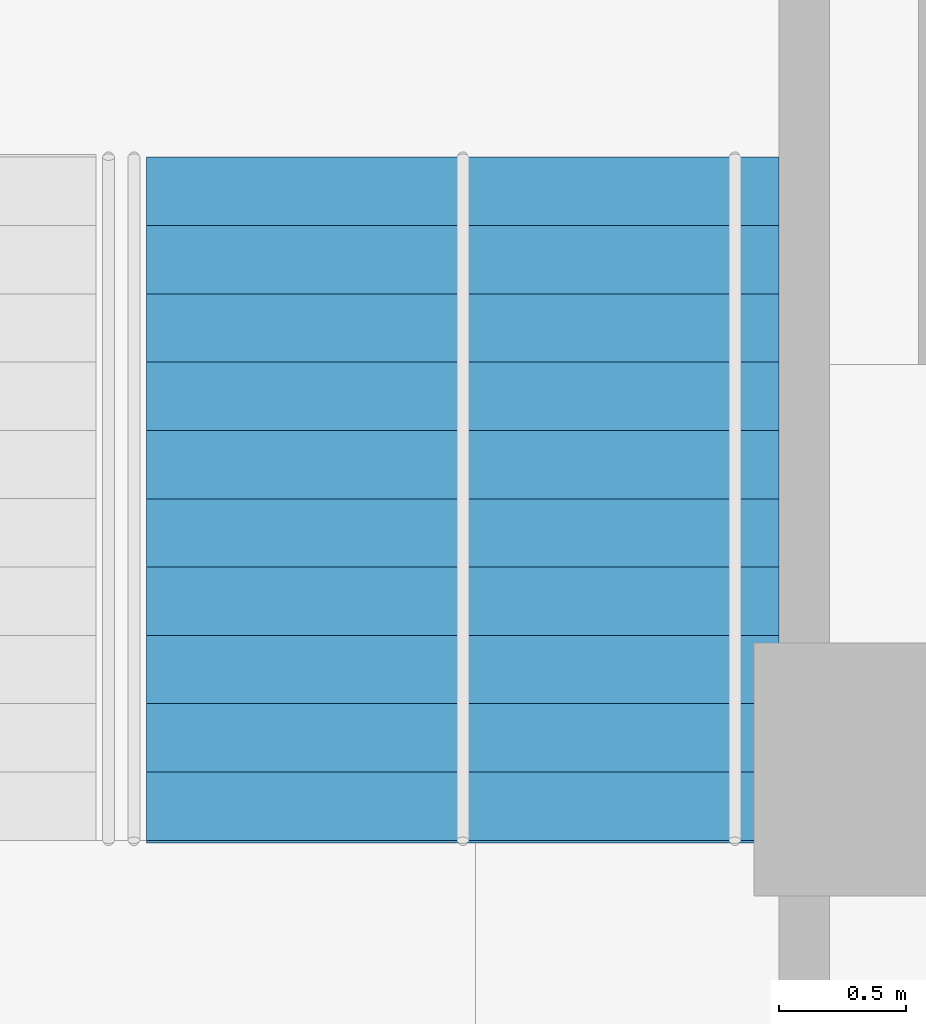
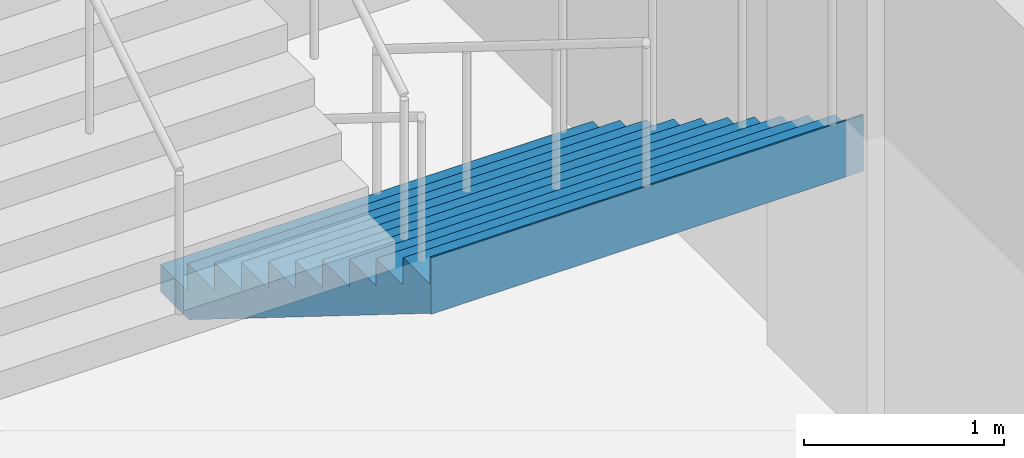
# One storey, part 9 of 11: 1 stair flight, 1 element without a shape of its own.
"""IFC4 building model written with IfcOpenShell, lengths in metres."""

from ifc_helpers import new_model, si_unit, direction, frame, origin, place, context, subcontext, project, spatial, faceted_brep, material, type_object, element, aggregate, save


model = new_model("IFC4")

# Units and contexts
model_context = context("Model", 3, precision=1e-05, world=origin(), true_north=direction((0.0, 1.0)))
body_context = subcontext(model_context, "Body", "Model", "MODEL_VIEW")
ifc_project = project(units=[si_unit("LENGTHUNIT", "METRE"), si_unit("AREAUNIT", "SQUARE_METRE"), si_unit("VOLUMEUNIT", "CUBIC_METRE"), si_unit("PLANEANGLEUNIT", "RADIAN"), si_unit("MASSUNIT", "GRAM", prefix="KILO")], contexts=[model_context])

# Site, building, storey
site_placement = place(None, origin())
site = spatial("IfcSite", under=ifc_project, at=site_placement, CompositionType="ELEMENT")
building_placement = place(site_placement, origin())
building = spatial("IfcBuilding", under=site, at=building_placement, Name="Torsade Residences", CompositionType="ELEMENT")
storey_placement = place(building_placement, frame((0.0, 0.0, -7.39990234375)))
storey = spatial("IfcBuildingStorey", under=building, at=storey_placement, Name="B2", CompositionType="ELEMENT", Elevation=-7.39990234375)

# Stair, stair flight
ifc_material_1 = material(Name="Concrete 40 MPa", Category="concrete")
stair_type = type_object("IfcStairType", Name="HALF-TURN PODIUM STAIR 2500x3700", PredefinedType="HALF_TURN_STAIR", material=ifc_material_1)
stair_placement = place(storey_placement, origin())
stair = element("IfcStair", 1, at=stair_placement, inside=storey, type_object=stair_type, Name="Stair ST4 B2", PredefinedType="HALF_TURN_STAIR")
ifc_material_2 = material(Name="Concrete 40 MPa", Category="concrete")
stair_flight_type = type_object("IfcStairFlightType", Name="PODIUM STAIR FLIGHT 2500x1850", PredefinedType="STRAIGHT", material=ifc_material_2)
stair_flight_placement = place(storey_placement, frame((75.75, 13.419921875, 0.0), z_axis=(0.0, 0.0, 1.0), x_axis=(0.0, -1.0, 0.0)))
stair_flight = element("IfcStairFlight", 2, at=stair_flight_placement, type_object=stair_flight_type, Name="ST4 flight 1", NumberOfRisers=11, NumberOfTreads=10, PredefinedType="STRAIGHT", RiserHeight=0.168181818, TreadLength=0.27, context=body_context, shape_type="Brep", body=[
    faceted_brep([(0.0, 1.25, 0.0), (0.0, 1.25, 0.168212890625), (0.27001953125, 1.25, 0.168212890625), (0.27001953125, 1.25, 0.33642578125), (0.5400390625, 1.25, 0.33642578125), (0.5400390625, 1.25, 0.504638671875), (0.81005859375, 1.25, 0.504638671875), (0.81005859375, 1.25, 0.672607421875), (1.080078125, 1.25, 0.672607421875), (1.080078125, 1.25, 0.8408203125), (1.35009765625, 1.25, 0.8408203125), (1.35009765625, 1.25, 1.009033203125), (1.6201171875, 1.25, 1.009033203125), (1.6201171875, 1.25, 1.17724609375), (1.889892578125, 1.25, 1.17724609375), (1.889892578125, 1.25, 1.345458984375), (2.159912109375, 1.25, 1.345458984375), (2.159912109375, 1.25, 1.513671875), (2.429931640625, 1.25, 1.513671875), (2.429931640625, 1.25, 1.681884765625), (2.699951171875, 1.25, 1.681884765625), (2.699951171875, 1.25, 1.85009765625), (2.7099609375, 1.25, 1.85009765625), (2.7099609375, 1.25, 1.505126953125), (2.699951171875, 1.25, 1.505126953125), (0.283447265625, 1.25, 0.0), (0.283447265625, -1.25, 0.0), (2.699951171875, -1.25, 1.505126953125), (2.7099609375, -1.25, 1.505126953125), (2.7099609375, -1.25, 1.85009765625), (2.699951171875, -1.25, 1.85009765625), (2.699951171875, -1.25, 1.681884765625), (2.429931640625, -1.25, 1.681884765625), (2.429931640625, -1.25, 1.513671875), (2.159912109375, -1.25, 1.513671875), (2.159912109375, -1.25, 1.345458984375), (1.889892578125, -1.25, 1.345458984375), (1.889892578125, -1.25, 1.17724609375), (1.6201171875, -1.25, 1.17724609375), (1.6201171875, -1.25, 1.009033203125), (1.35009765625, -1.25, 1.009033203125), (1.35009765625, -1.25, 0.8408203125), (1.080078125, -1.25, 0.8408203125), (1.080078125, -1.25, 0.672607421875), (0.81005859375, -1.25, 0.672607421875), (0.81005859375, -1.25, 0.504638671875), (0.5400390625, -1.25, 0.504638671875), (0.5400390625, -1.25, 0.33642578125), (0.27001953125, -1.25, 0.33642578125), (0.27001953125, -1.25, 0.168212890625), (0.0, -1.25, 0.168212890625), (0.0, -1.25, 0.0), (0.0, 0.75, 0.0), (0.0, 0.75, 0.168212890625), (0.0, 0.25, 0.0), (0.0, 0.25, 0.168212890625), (0.0, -0.25, 0.0), (0.0, -0.25, 0.168212890625), (0.0, -0.75, 0.0), (0.0, -0.75, 0.168212890625), (0.27001953125, 0.75, 0.168212890625), (0.27001953125, 0.25, 0.168212890625), (0.27001953125, -0.25, 0.168212890625), (0.27001953125, -0.75, 0.168212890625), (0.27001953125, 0.75, 0.33642578125), (0.27001953125, 0.25, 0.33642578125), (0.27001953125, -0.25, 0.33642578125), (0.27001953125, -0.75, 0.33642578125), (0.5400390625, 0.75, 0.33642578125), (0.5400390625, 0.25, 0.33642578125), (0.5400390625, -0.25, 0.33642578125), (0.5400390625, -0.75, 0.33642578125), (0.5400390625, 0.75, 0.504638671875), (0.5400390625, 0.25, 0.504638671875), (0.5400390625, -0.25, 0.504638671875), (0.5400390625, -0.75, 0.504638671875), (0.81005859375, 0.75, 0.504638671875), (0.81005859375, 0.25, 0.504638671875), (0.81005859375, -0.25, 0.504638671875), (0.81005859375, -0.75, 0.504638671875), (0.81005859375, 0.75, 0.672607421875), (0.81005859375, 0.25, 0.672607421875), (0.81005859375, -0.25, 0.672607421875), (0.81005859375, -0.75, 0.672607421875), (1.080078125, 0.75, 0.672607421875), (1.080078125, 0.25, 0.672607421875), (1.080078125, -0.25, 0.672607421875), (1.080078125, -0.75, 0.672607421875), (1.080078125, 0.75, 0.8408203125), (1.080078125, 0.25, 0.8408203125), (1.080078125, -0.25, 0.8408203125), (1.080078125, -0.75, 0.8408203125), (1.35009765625, 0.75, 0.8408203125), (1.35009765625, 0.25, 0.8408203125), (1.35009765625, -0.25, 0.8408203125), (1.35009765625, -0.75, 0.8408203125), (1.35009765625, 0.75, 1.009033203125), (1.35009765625, 0.25, 1.009033203125), (1.35009765625, -0.25, 1.009033203125), (1.35009765625, -0.75, 1.009033203125), (1.6201171875, 0.75, 1.009033203125), (1.6201171875, 0.25, 1.009033203125), (1.6201171875, -0.25, 1.009033203125), (1.6201171875, -0.75, 1.009033203125), (1.6201171875, 0.75, 1.17724609375), (1.6201171875, 0.25, 1.17724609375), (1.6201171875, -0.25, 1.17724609375), (1.6201171875, -0.75, 1.17724609375), (1.889892578125, 0.75, 1.17724609375), (1.889892578125, 0.25, 1.17724609375), (1.889892578125, -0.25, 1.17724609375), (1.889892578125, -0.75, 1.17724609375), (1.889892578125, 0.75, 1.345458984375), (1.889892578125, 0.25, 1.345458984375), (1.889892578125, -0.25, 1.345458984375), (1.889892578125, -0.75, 1.345458984375), (2.159912109375, 0.75, 1.345458984375), (2.159912109375, 0.25, 1.345458984375), (2.159912109375, -0.25, 1.345458984375), (2.159912109375, -0.75, 1.345458984375), (2.159912109375, 0.75, 1.513671875), (2.159912109375, 0.25, 1.513671875), (2.159912109375, -0.25, 1.513671875), (2.159912109375, -0.75, 1.513671875), (2.429931640625, 0.75, 1.513671875), (2.429931640625, 0.25, 1.513671875), (2.429931640625, -0.25, 1.513671875), (2.429931640625, -0.75, 1.513671875), (2.429931640625, 0.75, 1.681884765625), (2.429931640625, 0.25, 1.681884765625), (2.429931640625, -0.25, 1.681884765625), (2.429931640625, -0.75, 1.681884765625), (2.699951171875, 0.75, 1.681884765625), (2.699951171875, 0.25, 1.681884765625), (2.699951171875, -0.25, 1.681884765625), (2.699951171875, -0.75, 1.681884765625), (2.699951171875, 0.75, 1.85009765625), (2.699951171875, 0.25, 1.85009765625), (2.699951171875, -0.25, 1.85009765625), (2.699951171875, -0.75, 1.85009765625), (2.7099609375, 0.75, 1.85009765625), (2.7099609375, 0.25, 1.85009765625), (2.7099609375, -0.25, 1.85009765625), (2.7099609375, -0.75, 1.85009765625), (2.7099609375, 0.75, 1.505126953125), (2.7099609375, 0.25, 1.505126953125), (2.7099609375, -0.25, 1.505126953125), (2.7099609375, -0.75, 1.505126953125), (2.699951171875, 0.75, 1.505126953125), (2.699951171875, 0.25, 1.505126953125), (2.699951171875, -0.25, 1.505126953125), (2.699951171875, -0.75, 1.505126953125), (0.283447265625, 0.75, 0.0), (0.283447265625, 0.25, 0.0), (0.283447265625, -0.25, 0.0), (0.283447265625, -0.75, 0.0)], [[[0, 1, 2, 3, 4, 5, 6, 7, 8, 9, 10, 11, 12, 13, 14, 15, 16, 17, 18, 19, 20, 21, 22, 23, 24, 25]], [[26, 27, 28, 29, 30, 31, 32, 33, 34, 35, 36, 37, 38, 39, 40, 41, 42, 43, 44, 45, 46, 47, 48, 49, 50, 51]], [[52, 53, 1, 0]], [[54, 55, 53, 52]], [[56, 57, 55, 54]], [[58, 59, 57, 56]], [[51, 50, 59, 58]], [[53, 60, 2, 1]], [[55, 61, 60, 53]], [[57, 62, 61, 55]], [[59, 63, 62, 57]], [[50, 49, 63, 59]], [[60, 64, 3, 2]], [[61, 65, 64, 60]], [[62, 66, 65, 61]], [[63, 67, 66, 62]], [[49, 48, 67, 63]], [[64, 68, 4, 3]], [[65, 69, 68, 64]], [[66, 70, 69, 65]], [[67, 71, 70, 66]], [[48, 47, 71, 67]], [[68, 72, 5, 4]], [[69, 73, 72, 68]], [[70, 74, 73, 69]], [[71, 75, 74, 70]], [[47, 46, 75, 71]], [[72, 76, 6, 5]], [[73, 77, 76, 72]], [[74, 78, 77, 73]], [[75, 79, 78, 74]], [[46, 45, 79, 75]], [[76, 80, 7, 6]], [[77, 81, 80, 76]], [[78, 82, 81, 77]], [[79, 83, 82, 78]], [[45, 44, 83, 79]], [[80, 84, 8, 7]], [[81, 85, 84, 80]], [[82, 86, 85, 81]], [[83, 87, 86, 82]], [[44, 43, 87, 83]], [[84, 88, 9, 8]], [[85, 89, 88, 84]], [[86, 90, 89, 85]], [[87, 91, 90, 86]], [[43, 42, 91, 87]], [[88, 92, 10, 9]], [[89, 93, 92, 88]], [[90, 94, 93, 89]], [[91, 95, 94, 90]], [[42, 41, 95, 91]], [[92, 96, 11, 10]], [[93, 97, 96, 92]], [[94, 98, 97, 93]], [[95, 99, 98, 94]], [[41, 40, 99, 95]], [[96, 100, 12, 11]], [[97, 101, 100, 96]], [[98, 102, 101, 97]], [[99, 103, 102, 98]], [[40, 39, 103, 99]], [[100, 104, 13, 12]], [[101, 105, 104, 100]], [[102, 106, 105, 101]], [[103, 107, 106, 102]], [[39, 38, 107, 103]], [[104, 108, 14, 13]], [[105, 109, 108, 104]], [[106, 110, 109, 105]], [[107, 111, 110, 106]], [[38, 37, 111, 107]], [[108, 112, 15, 14]], [[109, 113, 112, 108]], [[110, 114, 113, 109]], [[111, 115, 114, 110]], [[37, 36, 115, 111]], [[112, 116, 16, 15]], [[113, 117, 116, 112]], [[114, 118, 117, 113]], [[115, 119, 118, 114]], [[36, 35, 119, 115]], [[116, 120, 17, 16]], [[117, 121, 120, 116]], [[118, 122, 121, 117]], [[119, 123, 122, 118]], [[35, 34, 123, 119]], [[120, 124, 18, 17]], [[121, 125, 124, 120]], [[122, 126, 125, 121]], [[123, 127, 126, 122]], [[34, 33, 127, 123]], [[124, 128, 19, 18]], [[125, 129, 128, 124]], [[126, 130, 129, 125]], [[127, 131, 130, 126]], [[33, 32, 131, 127]], [[128, 132, 20, 19]], [[129, 133, 132, 128]], [[130, 134, 133, 129]], [[131, 135, 134, 130]], [[32, 31, 135, 131]], [[132, 136, 21, 20]], [[133, 137, 136, 132]], [[134, 138, 137, 133]], [[135, 139, 138, 134]], [[31, 30, 139, 135]], [[136, 140, 22, 21]], [[137, 141, 140, 136]], [[138, 142, 141, 137]], [[139, 143, 142, 138]], [[30, 29, 143, 139]], [[140, 144, 23, 22]], [[141, 145, 144, 140]], [[142, 146, 145, 141]], [[143, 147, 146, 142]], [[29, 28, 147, 143]], [[144, 148, 24, 23]], [[145, 149, 148, 144]], [[146, 150, 149, 145]], [[147, 151, 150, 146]], [[28, 27, 151, 147]], [[148, 152, 25, 24]], [[149, 153, 152, 148]], [[150, 154, 153, 149]], [[151, 155, 154, 150]], [[27, 26, 155, 151]], [[152, 52, 0, 25]], [[153, 54, 52, 152]], [[154, 56, 54, 153]], [[155, 58, 56, 154]], [[26, 51, 58, 155]]]),
])
aggregate(stair, [stair_flight])

save(model, "model.ifc")
